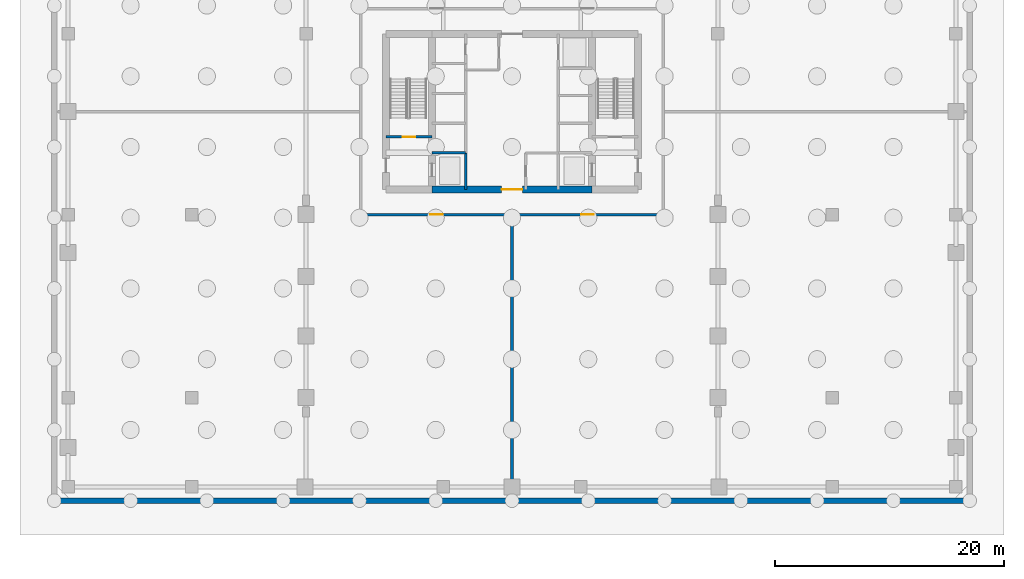
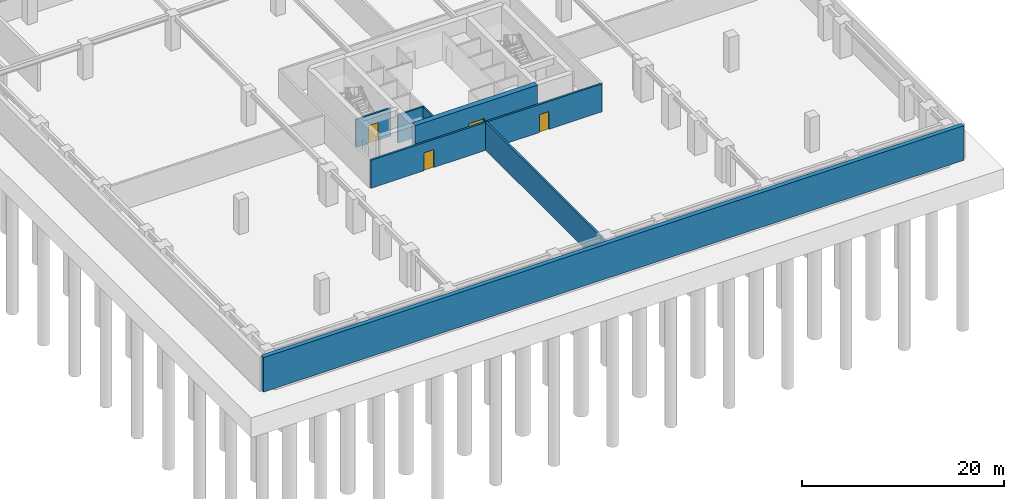
# One storey, part 3 of 8: 7 walls, 4 doors, 4 openings.
"""IFC4 building model written with IfcOpenShell, lengths in metres."""

import ifcopenshell
import ifcopenshell.guid

model = None  # the IFC model being written
_history = None  # IfcOwnerHistory: only IFC2X3 demands one
_inside = {}  # id of a spatial element -> (the spatial element, [elements in it])
_under = {}  # id of a project, library or spatial element -> (it, [spatial elements below it])
_declared = {}  # id of a project -> (the project, [libraries it declares])
_typed = {}  # id of a type object -> (the type object, [elements of that type])
_made_of = {}  # id of a material, layer set ... -> (it, [elements and type objects made of it])


def new_model(schema):
    """Start an empty IFC model of exactly this schema.

    Asked for "IFC4X3", IfcOpenShell would pick the latest addendum, in which some entities
    have other attributes; the version numbers below select the first issue.
    IFC2X3 requires an IfcOwnerHistory on every rooted entity: one is made here for all.
    """
    global model, _history
    if schema == "IFC4X3":
        model = ifcopenshell.file(schema_version=(4, 3, 0, 0))
    else:
        model = ifcopenshell.file(schema=schema)
    _inside.clear()
    _under.clear()
    _declared.clear()
    _typed.clear()
    _made_of.clear()
    _history = None
    if model.schema == "IFC2X3":
        org = make("IfcOrganization", Name="unknown")
        user = make(
            "IfcPersonAndOrganization",
            ThePerson=make("IfcPerson", FamilyName="unknown"),
            TheOrganization=org,
        )
        app = make(
            "IfcApplication",
            ApplicationDeveloper=org,
            Version="unknown",
            ApplicationFullName="unknown",
            ApplicationIdentifier="unknown",
        )
        _history = make(
            "IfcOwnerHistory",
            OwningUser=user,
            OwningApplication=app,
            ChangeAction="ADDED",
            CreationDate=0,
        )
    return model


def make(cls, **values):
    """One entity of the class cls with the attributes given. An attribute that is None is left unset."""
    return model.create_entity(
        cls, **{name: value for name, value in values.items() if value is not None}
    )


def rooted(cls, **values):
    """An entity with a GlobalId (a new one), such as an element, a storey or a relation."""
    return make(cls, GlobalId=ifcopenshell.guid.new(), OwnerHistory=_history, **values)


def si_unit(unit_type, name, prefix=None):
    """IfcSIUnit, for example si_unit("LENGTHUNIT", "METRE", prefix="MILLI")."""
    return make("IfcSIUnit", UnitType=unit_type, Prefix=prefix, Name=name)


def assignment(units):
    """IfcUnitAssignment: the units of a project."""
    return None if units is None else make("IfcUnitAssignment", Units=units)


def point(xyz):
    """IfcCartesianPoint."""
    return None if xyz is None else make("IfcCartesianPoint", Coordinates=xyz)


def direction(xyz):
    """IfcDirection."""
    return None if xyz is None else make("IfcDirection", DirectionRatios=xyz)


def frame(location, z_axis=None, x_axis=None):
    """IfcAxis2Placement3D, a coordinate frame: its origin and axes. An axis left out is left unset."""
    return make(
        "IfcAxis2Placement3D",
        Location=point(location),
        Axis=direction(z_axis),
        RefDirection=direction(x_axis),
    )


def frame_2d(location, x_axis=None):
    """IfcAxis2Placement2D, a coordinate frame in the plane: its origin and x axis."""
    return make(
        "IfcAxis2Placement2D", Location=point(location), RefDirection=direction(x_axis)
    )


def origin():
    """The frame at (0, 0, 0) with its axes left unset."""
    return frame((0.0, 0.0, 0.0))


def place(relative_to, where):
    """IfcLocalPlacement: puts the frame where relative to a parent placement (None: the world)."""
    return make(
        "IfcLocalPlacement", PlacementRelTo=relative_to, RelativePlacement=where
    )


def context(
    kind, dimensions, precision=None, world=None, true_north=None, identifier=None
):
    """IfcGeometricRepresentationContext, for example the 3D "Model" context."""
    return make(
        "IfcGeometricRepresentationContext",
        ContextIdentifier=identifier,
        ContextType=kind,
        CoordinateSpaceDimension=dimensions,
        Precision=precision,
        WorldCoordinateSystem=world,
        TrueNorth=true_north,
    )


def subcontext(parent, identifier, kind, view, scale=None):
    """IfcGeometricRepresentationSubContext, for example "Body" below "Model"."""
    return make(
        "IfcGeometricRepresentationSubContext",
        ContextIdentifier=identifier,
        ContextType=kind,
        ParentContext=parent,
        TargetScale=scale,
        TargetView=view,
    )


def project(units=None, contexts=None):
    """IfcProject with its units and contexts."""
    return rooted(
        "IfcProject",
        Name="project",
        RepresentationContexts=contexts,
        UnitsInContext=assignment(units),
    )


def spatial(cls, under=None, at=None, **own):
    """A site, building, storey or space (cls), placed at a placement, below another one or the project."""
    s = rooted(cls, ObjectPlacement=at, **own)
    if under is not None:
        _under.setdefault(under.id(), (under, []))[1].append(s)
    return s


def profile(cls, at=None, kind="AREA", **sizes):
    """A parametric profile (cls). Its sizes go by their IFC names, for example OverallWidth=200.0."""
    return make(cls, ProfileType=kind, Position=at, **sizes)


def rectangle(**sizes):
    """IfcRectangleProfileDef."""
    return profile("IfcRectangleProfileDef", **sizes)


def extrude(swept, where, along, depth):
    """IfcExtrudedAreaSolid: the profile swept, set in the frame where, extruded along a direction by depth."""
    return make(
        "IfcExtrudedAreaSolid",
        SweptArea=swept,
        Position=where,
        ExtrudedDirection=direction(along),
        Depth=depth,
    )


def shape(context_of_items, identifier, shape_type, items):
    """IfcShapeRepresentation: the items that make up one representation, for example the "Body"."""
    return make(
        "IfcShapeRepresentation",
        ContextOfItems=context_of_items,
        RepresentationIdentifier=identifier,
        RepresentationType=shape_type,
        Items=items,
    )


def material(Name=None, Category=None):
    """IfcMaterial."""
    return make("IfcMaterial", Name=Name, Category=Category)


def layer(
    of_material, thickness, ventilated=None, Name=None, Category=None, Priority=None
):
    """IfcMaterialLayer: one layer of a wall or slab, of a material (None: an air gap)."""
    return make(
        "IfcMaterialLayer",
        Material=of_material,
        LayerThickness=thickness,
        IsVentilated=ventilated,
        Name=Name,
        Category=Category,
        Priority=Priority,
    )


def layer_set(layers, Name=None):
    """IfcMaterialLayerSet."""
    return make("IfcMaterialLayerSet", MaterialLayers=layers, LayerSetName=Name)


def made_of(thing, what):
    """Note that an element or type object is made of a material, layer set ...; save() writes the relation."""
    if what is not None:
        _made_of.setdefault(what.id(), (what, []))[1].append(thing)
    return thing


def type_object(cls, material=None, **own):
    """A type object (cls), such as IfcWallType, which elements share."""
    return made_of(rooted(cls, **own), material)


def element(
    cls,
    number,
    at=None,
    inside=None,
    cuts=None,
    type_object=None,
    material=None,
    context=None,
    identifier="Body",
    shape_type=None,
    held_by="IfcProductDefinitionShape",
    body=None,
    shapes=None,
    **own,
):
    """One element of the class cls, such as IfcWall. Its Tag is "e" and its number.

    at: its placement. inside: the storey or other place that contains it. cuts: it is an
    opening in that element (IfcRelVoidsElement). A single representation is given by context,
    identifier, shape_type and body (its items); several are given by shapes. held_by: the class
    of the entity that holds the representations. save() writes the other relations.
    """
    e = rooted(cls, Tag="e%d" % number, ObjectPlacement=at, **own)
    if body is not None:
        shapes = [shape(context, identifier, shape_type, body)]
    if shapes is not None:
        e.Representation = make(held_by, Representations=shapes)
    if inside is not None:
        _inside.setdefault(inside.id(), (inside, []))[1].append(e)
    if cuts is not None:
        rooted(
            "IfcRelVoidsElement", RelatingBuildingElement=cuts, RelatedOpeningElement=e
        )
    if type_object is not None:
        _typed.setdefault(type_object.id(), (type_object, []))[1].append(e)
    return made_of(e, material)


def fill(opening, filler):
    """IfcRelFillsElement: the door or window that sits in an opening."""
    return rooted(
        "IfcRelFillsElement",
        RelatingOpeningElement=opening,
        RelatedBuildingElement=filler,
    )


def aggregate(whole, parts):
    """IfcRelAggregates: a whole, such as a stair, and the parts it consists of."""
    return rooted("IfcRelAggregates", RelatingObject=whole, RelatedObjects=parts)


def save(model, path):
    """Write the relations noted so far, then the file.

    IfcRelAggregates (storeys below a building ...), IfcRelContainedInSpatialStructure (elements
    in a storey), IfcRelDefinesByType, IfcRelAssociatesMaterial and IfcRelDeclares: one each for
    every whole, place, type object, material and project.
    """
    for whole, parts in _under.values():
        aggregate(whole, parts)
    for where, things in _inside.values():
        rooted(
            "IfcRelContainedInSpatialStructure",
            RelatedElements=things,
            RelatingStructure=where,
        )
    for kind, things in _typed.values():
        rooted("IfcRelDefinesByType", RelatedObjects=things, RelatingType=kind)
    for what, things in _made_of.values():
        rooted("IfcRelAssociatesMaterial", RelatedObjects=things, RelatingMaterial=what)
    for by, libraries in _declared.values():
        rooted("IfcRelDeclares", RelatingContext=by, RelatedDefinitions=libraries)
    model.write(path)


model = new_model("IFC4")

# Units and contexts
model_context = context("Model", 3, precision=1e-05, world=origin(), true_north=direction((0.0, 1.0)))
body_context = subcontext(model_context, "Body", "Model", "MODEL_VIEW")
ifc_project = project(units=[si_unit("LENGTHUNIT", "METRE"), si_unit("AREAUNIT", "SQUARE_METRE"), si_unit("VOLUMEUNIT", "CUBIC_METRE"), si_unit("PLANEANGLEUNIT", "RADIAN"), si_unit("MASSUNIT", "GRAM", prefix="KILO")], contexts=[model_context])

# Site, building, storey
site_placement = place(None, origin())
site = spatial("IfcSite", under=ifc_project, at=site_placement, CompositionType="ELEMENT")
building_placement = place(site_placement, origin())
building = spatial("IfcBuilding", under=site, at=building_placement, Name="Sarneth Arch Tower", CompositionType="ELEMENT")
storey_placement = place(building_placement, frame((0.0, 0.0, -9.0)))
storey = spatial("IfcBuildingStorey", under=building, at=storey_placement, Name="B02", CompositionType="ELEMENT", Elevation=-9.0)

# Wall, opening, door
ifc_material_1 = material(Name="Concrete C60/75", Category="concrete")
ifc_layer_1 = layer(ifc_material_1, 0.60009765625)
ifc_layer_set_1 = layer_set([ifc_layer_1], Name="Concrete C60/75")
wall_type_1 = type_object("IfcWallType", Name="WALL-CORE-600", PredefinedType="SHEAR", material=ifc_layer_set_1)
wall_1_placement = place(storey_placement, frame((41.0, 35.199951171875, 0.0), z_axis=(0.0, 0.0, 1.0), x_axis=(1.0, 0.0, 0.0)))
wall_1 = element("IfcWall", 1, at=wall_1_placement, inside=storey, type_object=wall_type_1, Name="B02 Core shear wall S-M", PredefinedType="SHEAR", context=body_context, shape_type="SweptSolid", body=[
    extrude(rectangle(XDim=14.0, YDim=0.60009765625, at=frame_2d((7.0, 0.0))), origin(), (0.0, 0.0, 1.0), 4.179931640625),
])
opening_1_placement = place(wall_1_placement, frame((6.10009765625, 0.0, 0.0)))
opening_1 = element("IfcOpeningElement", 2, at=opening_1_placement, cuts=wall_1, Name="Opening FD-01", PredefinedType="OPENING", context=body_context, shape_type="SweptSolid", body=[
    extrude(rectangle(XDim=1.800048828125, YDim=2.25, at=frame_2d((0.89990234375, 1.125))), frame((0.0, 0.31005859375, 0.0), z_axis=(0.0, -1.0, 0.0), x_axis=(1.0, 0.0, 0.0)), (0.0, 0.0, 1.0), 0.6201171875),
])
ifc_material_2 = material(Name="Galvanised Steel S275 fire door set", Category="steel")
door_type_1 = type_object("IfcDoorType", Name="DR-FD90-1800", OperationType="DOUBLE_DOOR_SINGLE_SWING", PredefinedType="DOOR", material=ifc_material_2)
door_1_placement = place(opening_1_placement, origin())
door_1 = element("IfcDoor", 3, at=door_1_placement, inside=storey, type_object=door_type_1, Name="B02 Central lift lobby south door", OperationType="DOUBLE_DOOR_SINGLE_SWING", OverallHeight=2.25, OverallWidth=1.800048828125, PredefinedType="DOOR", context=body_context, shape_type="SweptSolid", body=[
    extrude(rectangle(XDim=1.800048828125, YDim=2.25, at=frame_2d((0.89990234375, 1.125))), frame((0.0, 0.02490234375, 0.0), z_axis=(0.0, -1.0, 0.0), x_axis=(1.0, 0.0, 0.0)), (0.0, 0.0, 1.0), 0.050048828125),
])
fill(opening_1, door_1)

# Wall
ifc_material_3 = material(Name="Aerated concrete blockwork C25/30", Category="masonry")
ifc_layer_2 = layer(ifc_material_3, 0.219970703125)
ifc_layer_set_2 = layer_set([ifc_layer_2], Name="Aerated concrete blockwork C25/30")
wall_type_2 = type_object("IfcWallType", Name="WALL-FIRE-220", PredefinedType="SOLIDWALL", material=ifc_layer_set_2)
wall_2_placement = place(storey_placement, frame((48.0, 33.0, 0.0), z_axis=(0.0, 0.0, 1.0), x_axis=(0.0, -1.0, 0.0)))
element("IfcWall", 4, at=wall_2_placement, inside=storey, type_object=wall_type_2, Name="B02 Interior partition W-B02-TP-012", PredefinedType="SOLIDWALL", context=body_context, shape_type="SweptSolid", body=[
    extrude(rectangle(XDim=24.699951171875, YDim=0.219970703125, at=frame_2d((12.35009765625, 0.0))), origin(), (0.0, 0.0, 1.0), 3.3798828125),
])

# Wall, openings, doors
wall_3_placement = place(storey_placement, frame((61.199951171875, 33.0, 0.0), z_axis=(0.0, 0.0, 1.0), x_axis=(-1.0, 0.0, 0.0)))
wall_3 = element("IfcWall", 5, at=wall_3_placement, inside=storey, type_object=wall_type_2, Name="B02 Interior partition W-B02-TP-005", PredefinedType="SOLIDWALL", context=body_context, shape_type="SweptSolid", body=[
    extrude(rectangle(XDim=26.39990234375, YDim=0.219970703125, at=frame_2d((13.199951171875, 0.0))), origin(), (0.0, 0.0, 1.0), 3.3798828125),
])
opening_2_placement = place(wall_3_placement, frame((19.23388671875, 0.0, 0.0)))
opening_2 = element("IfcOpeningElement", 6, at=opening_2_placement, cuts=wall_3, Name="Opening FD-03", PredefinedType="OPENING", context=body_context, shape_type="SweptSolid", body=[
    extrude(rectangle(XDim=1.10009765625, YDim=2.14990234375, at=frame_2d((0.550048828125, 1.074951171875))), frame((0.0, 0.119873046875, 0.0), z_axis=(0.0, -1.0, 0.0), x_axis=(1.0, 0.0, 0.0)), (0.0, 0.0, 1.0), 0.239990234375),
])
opening_3_placement = place(wall_3_placement, frame((6.06591796875, 0.0, 0.0)))
opening_3 = element("IfcOpeningElement", 7, at=opening_3_placement, cuts=wall_3, Name="Opening FD-03", PredefinedType="OPENING", context=body_context, shape_type="SweptSolid", body=[
    extrude(rectangle(XDim=1.10009765625, YDim=2.14990234375, at=frame_2d((0.550048828125, 1.074951171875))), frame((0.0, 0.119873046875, 0.0), z_axis=(0.0, -1.0, 0.0), x_axis=(1.0, 0.0, 0.0)), (0.0, 0.0, 1.0), 0.239990234375),
])
ifc_material_4 = material(Name="Galvanised Steel S275 fire door set", Category="steel")
door_type_2 = type_object("IfcDoorType", Name="DR-FD90-1100", OperationType="SINGLE_SWING_LEFT", PredefinedType="DOOR", material=ifc_material_4)
door_2_placement = place(opening_2_placement, origin())
door_2 = element("IfcDoor", 8, at=door_2_placement, inside=storey, type_object=door_type_2, Name="B02 Interior door DR-B02-PSEC-3", OperationType="SINGLE_SWING_LEFT", OverallHeight=2.14990234375, OverallWidth=1.10009765625, PredefinedType="DOOR", context=body_context, shape_type="SweptSolid", body=[
    extrude(rectangle(XDim=1.10009765625, YDim=2.14990234375, at=frame_2d((0.550048828125, 1.074951171875))), frame((0.0, 0.02490234375, 0.0), z_axis=(0.0, -1.0, 0.0), x_axis=(1.0, 0.0, 0.0)), (0.0, 0.0, 1.0), 0.050048828125),
])
fill(opening_2, door_2)
door_3_placement = place(opening_3_placement, origin())
door_3 = element("IfcDoor", 9, at=door_3_placement, inside=storey, type_object=door_type_2, Name="B02 Interior door DR-B02-PSEC-4", OperationType="SINGLE_SWING_LEFT", OverallHeight=2.14990234375, OverallWidth=1.10009765625, PredefinedType="DOOR", context=body_context, shape_type="SweptSolid", body=[
    extrude(rectangle(XDim=1.10009765625, YDim=2.14990234375, at=frame_2d((0.550048828125, 1.074951171875))), frame((0.0, 0.02490234375, 0.0), z_axis=(0.0, -1.0, 0.0), x_axis=(1.0, 0.0, 0.0)), (0.0, 0.0, 1.0), 0.050048828125),
])
fill(opening_3, door_3)

# Wall
ifc_material_5 = material(Name="Concrete C50/60", Category="concrete")
ifc_layer_3 = layer(ifc_material_5, 0.5)
ifc_layer_set_3 = layer_set([ifc_layer_3], Name="Concrete C50/60")
wall_type_3 = type_object("IfcWallType", Name="WALL-RET-500", PredefinedType="SOLIDWALL", material=ifc_layer_set_3)
wall_4_placement = place(storey_placement, frame((8.0, 8.0, 0.0), z_axis=(0.0, 0.0, 1.0), x_axis=(1.0, 0.0, 0.0)))
element("IfcWall", 10, at=wall_4_placement, inside=storey, type_object=wall_type_3, Name="B02 Basement retaining wall S", PredefinedType="SOLIDWALL", context=body_context, shape_type="SweptSolid", body=[
    extrude(rectangle(XDim=80.0, YDim=0.5, at=frame_2d((40.0, 0.0))), origin(), (0.0, 0.0, 1.0), 4.179931640625),
])

# Wall, opening, door
ifc_material_6 = material(Name="Aerated concrete blockwork C25/30", Category="masonry")
ifc_layer_4 = layer(ifc_material_6, 0.199951171875)
ifc_layer_set_4 = layer_set([ifc_layer_4], Name="Aerated concrete blockwork C25/30")
wall_type_4 = type_object("IfcWallType", Name="WALL-SHAFT-200", PredefinedType="SOLIDWALL", material=ifc_layer_set_4)
wall_5_placement = place(storey_placement, frame((37.0, 39.800048828125, 0.0), z_axis=(0.0, 0.0, 1.0), x_axis=(1.0, 0.0, 0.0)))
wall_5 = element("IfcWall", 11, at=wall_5_placement, inside=storey, type_object=wall_type_4, Name="B02 Interior partition W-B02-ST1-S", PredefinedType="SOLIDWALL", context=body_context, shape_type="SweptSolid", body=[
    extrude(rectangle(XDim=4.0, YDim=0.199951171875, at=frame_2d((2.0, 0.0))), origin(), (0.0, 0.0, 1.0), 3.3798828125),
])
opening_4_placement = place(wall_5_placement, frame((1.449951171875, 0.0, 0.0)))
opening_4 = element("IfcOpeningElement", 12, at=opening_4_placement, cuts=wall_5, Name="Opening FD-03", PredefinedType="OPENING", context=body_context, shape_type="SweptSolid", body=[
    extrude(rectangle(XDim=1.10009765625, YDim=2.14990234375, at=frame_2d((0.550048828125, 1.074951171875))), frame((0.0, 0.10986328125, 0.0), z_axis=(0.0, -1.0, 0.0), x_axis=(1.0, 0.0, 0.0)), (0.0, 0.0, 1.0), 0.219970703125),
])
door_4_placement = place(opening_4_placement, origin())
door_4 = element("IfcDoor", 13, at=door_4_placement, inside=storey, type_object=door_type_2, Name="B02 Interior door DR-B02-ST1", OperationType="SINGLE_SWING_LEFT", OverallHeight=2.14990234375, OverallWidth=1.10009765625, PredefinedType="DOOR", context=body_context, shape_type="SweptSolid", body=[
    extrude(rectangle(XDim=1.10009765625, YDim=2.14990234375, at=frame_2d((0.550048828125, 1.074951171875))), frame((0.0, 0.02490234375, 0.0), z_axis=(0.0, -1.0, 0.0), x_axis=(1.0, 0.0, 0.0)), (0.0, 0.0, 1.0), 0.050048828125),
])
fill(opening_4, door_4)

# Walls
wall_6_placement = place(storey_placement, frame((43.949951171875, 35.199951171875, 0.0), z_axis=(0.0, 0.0, 1.0), x_axis=(0.0, 1.0, 0.0)))
element("IfcWall", 14, at=wall_6_placement, inside=storey, type_object=wall_type_4, Name="B02 Interior partition W-B02-FL1-E", PredefinedType="SOLIDWALL", context=body_context, shape_type="SweptSolid", body=[
    extrude(rectangle(XDim=3.199951171875, YDim=0.199951171875, at=frame_2d((1.60009765625, 0.0))), origin(), (0.0, 0.0, 1.0), 3.3798828125),
])
wall_7_placement = place(storey_placement, frame((41.0, 38.39990234375, 0.0), z_axis=(0.0, 0.0, 1.0), x_axis=(1.0, 0.0, 0.0)))
element("IfcWall", 15, at=wall_7_placement, inside=storey, type_object=wall_type_4, Name="B02 Interior partition W-B02-FL1-N", PredefinedType="SOLIDWALL", context=body_context, shape_type="SweptSolid", body=[
    extrude(rectangle(XDim=2.949951171875, YDim=0.199951171875, at=frame_2d((1.47509765625, 0.0))), origin(), (0.0, 0.0, 1.0), 3.3798828125),
])

save(model, "model.ifc")
